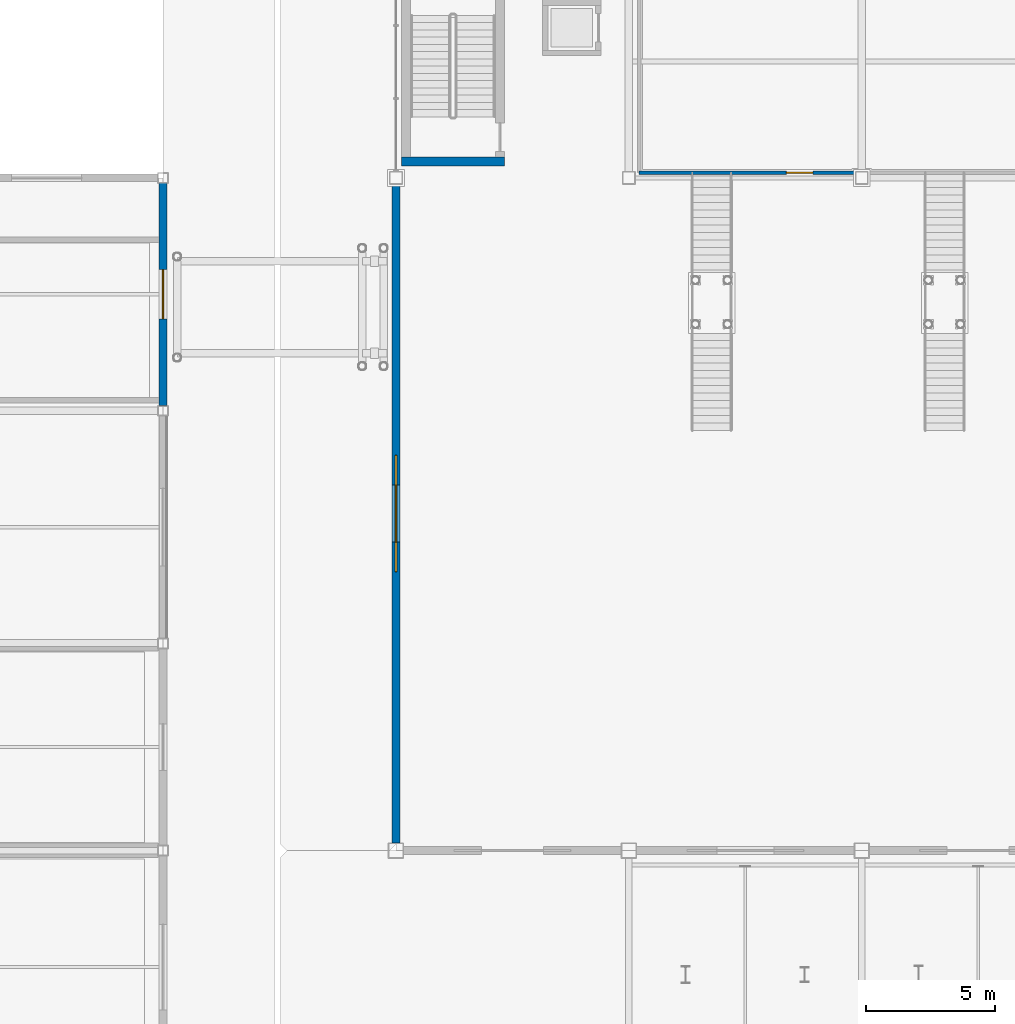
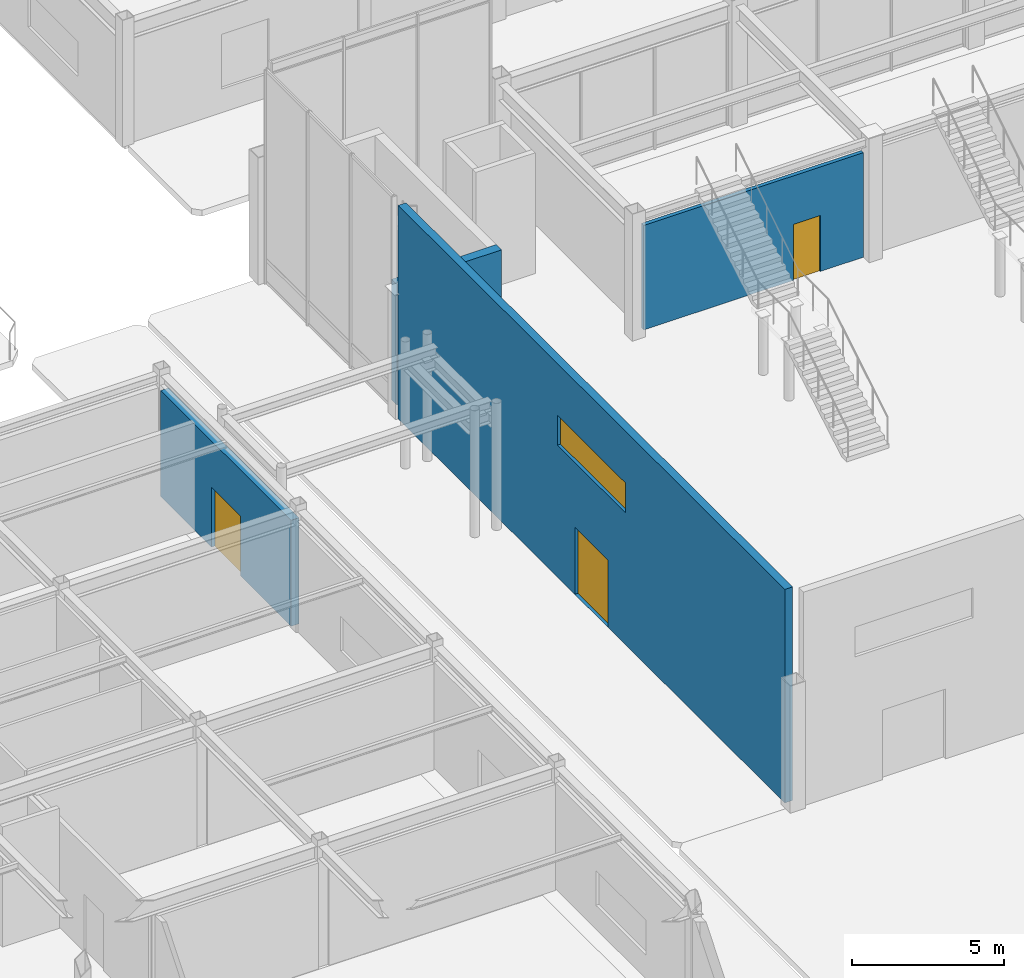
# One storey, part 84 of 123: 4 walls, 3 doors, 1 window, 4 openings.
"""IFC4 building model written with IfcOpenShell, lengths in metres."""

from ifc_helpers import new_model, si_unit, direction, frame, frame_2d, origin, place, context, subcontext, project, spatial, rectangle, extrude, material, layer, layer_set, type_object, element, fill, save


model = new_model("IFC4")

# Units and contexts
model_context = context("Model", 3, precision=1e-05, world=origin(), true_north=direction((0.0, 1.0)))
body_context = subcontext(model_context, "Body", "Model", "MODEL_VIEW")
ifc_project = project(units=[si_unit("LENGTHUNIT", "METRE"), si_unit("AREAUNIT", "SQUARE_METRE"), si_unit("VOLUMEUNIT", "CUBIC_METRE"), si_unit("PLANEANGLEUNIT", "RADIAN"), si_unit("MASSUNIT", "GRAM", prefix="KILO")], contexts=[model_context])

# Site, building, storey
site_placement = place(None, origin())
site = spatial("IfcSite", under=ifc_project, at=site_placement, CompositionType="ELEMENT")
building_placement = place(site_placement, origin())
building = spatial("IfcBuilding", under=site, at=building_placement, Name="Suzunagisa Mobility Hub", CompositionType="ELEMENT")
storey_placement = place(building_placement, origin())
storey = spatial("IfcBuildingStorey", under=building, at=storey_placement, Name="L00", CompositionType="ELEMENT", Elevation=0.0)

# Wall, opening, door
ifc_material_1 = material(Name="Insulated Precast Concrete C35/45 Panel", Category="concrete")
ifc_layer_1 = layer(ifc_material_1, 0.300048828125)
ifc_layer_set_1 = layer_set([ifc_layer_1], Name="Insulated Precast Concrete C35/45 Panel")
wall_type_1 = type_object("IfcWallType", Name="Exterior Wall EW-09 300mm", PredefinedType="SOLIDWALL", material=ifc_layer_set_1)
wall_1_placement = place(storey_placement, frame((36.0, 53.199951171875, 0.0), z_axis=(0.0, 0.0, 1.0), x_axis=(0.0, 1.0, 0.0)))
wall_1 = element("IfcWall", 1, at=wall_1_placement, inside=storey, type_object=wall_type_1, Name="L00 Entrance Portal Wall 31", PredefinedType="SOLIDWALL", context=body_context, shape_type="SweptSolid", body=[
    extrude(rectangle(XDim=8.60009765625, YDim=0.300048828125, at=frame_2d((4.300048828125, 0.0))), origin(), (0.0, 0.0, 1.0), 4.261962890625),
])
opening_1_placement = place(wall_1_placement, frame((5.25, 0.0, 0.0), z_axis=(0.0, 0.0, 1.0), x_axis=(-1.0, 0.0, 0.0)))
opening_1 = element("IfcOpeningElement", 2, at=opening_1_placement, cuts=wall_1, Name="Opening ED-07", PredefinedType="OPENING", context=body_context, shape_type="SweptSolid", body=[
    extrude(rectangle(XDim=1.89990234375, YDim=2.39990234375, at=frame_2d((0.949951171875, 1.199951171875))), frame((0.0, 0.1611328125, 0.0), z_axis=(0.0, -1.0, 0.0), x_axis=(1.0, 0.0, 0.0)), (0.0, 0.0, 1.0), 0.322021484375),
])
ifc_material_2 = material(Name="Anodized Aluminum and Tempered Safety Glass", Category="aluminium")
door_type_1 = type_object("IfcDoorType", Name="Exterior Glazed Aluminum Door ED-07 1900x2400", OperationType="DOUBLE_DOOR_SINGLE_SWING", PredefinedType="DOOR", material=ifc_material_2)
door_1_placement = place(opening_1_placement, origin())
door_1 = element("IfcDoor", 3, at=door_1_placement, inside=storey, type_object=door_type_1, Name="L00 Pedestrian Final Exit Door EX-4", OperationType="SINGLE_SWING_LEFT", OverallHeight=2.39990234375, OverallWidth=1.89990234375, PredefinedType="DOOR", context=body_context, shape_type="SweptSolid", body=[
    extrude(rectangle(XDim=1.89990234375, YDim=2.39990234375, at=frame_2d((0.949951171875, 1.199951171875))), frame((0.0, 0.02490234375, 0.0), z_axis=(0.0, -1.0, 0.0), x_axis=(1.0, 0.0, 0.0)), (0.0, 0.0, 1.0), 0.050048828125),
])
fill(opening_1, door_1)

# Wall, openings, window, door
wall_2_placement = place(storey_placement, frame((45.0, 61.75, 0.0), z_axis=(0.0, 0.0, 1.0), x_axis=(0.0, -1.0, 0.0)))
wall_2 = element("IfcWall", 4, at=wall_2_placement, inside=storey, type_object=wall_type_1, Name="L00 Entrance Portal Wall 81", PredefinedType="SOLIDWALL", context=body_context, shape_type="SweptSolid", body=[
    extrude(rectangle(XDim=25.449951171875, YDim=0.300048828125, at=frame_2d((12.72509765625, 0.0))), origin(), (0.0, 0.0, 1.0), 8.580078125),
])
opening_2_placement = place(wall_2_placement, frame((13.824951171875, 0.0, 0.0), z_axis=(0.0, 0.0, 1.0), x_axis=(-1.0, 0.0, 0.0)))
opening_2 = element("IfcOpeningElement", 5, at=opening_2_placement, cuts=wall_2, Name="Opening ED-02", PredefinedType="OPENING", context=body_context, shape_type="SweptSolid", body=[
    extrude(rectangle(XDim=2.199951171875, YDim=2.699951171875, at=frame_2d((1.10009765625, 1.35009765625))), frame((0.0, 0.1611328125, 0.0), z_axis=(0.0, -1.0, 0.0), x_axis=(1.0, 0.0, 0.0)), (0.0, 0.0, 1.0), 0.322021484375),
])
opening_3_placement = place(wall_2_placement, frame((10.47509765625, 0.0, 5.300048828125)))
opening_3 = element("IfcOpeningElement", 6, at=opening_3_placement, cuts=wall_2, Name="Opening WN-28", PredefinedType="OPENING", context=body_context, shape_type="SweptSolid", body=[
    extrude(rectangle(XDim=4.5, YDim=1.199951171875, at=frame_2d((2.25, 0.60009765625))), frame((0.0, 0.1611328125, 0.0), z_axis=(0.0, -1.0, 0.0), x_axis=(1.0, 0.0, 0.0)), (0.0, 0.0, 1.0), 0.322021484375),
])
ifc_material_3 = material(Name="Thermally Broken Anodized Aluminum and Low-E Double Glazing", Category="aluminium")
window_type = type_object("IfcWindowType", Name="Aluminum Window WN-28 4500x1200", PartitioningType="SINGLE_PANEL", PredefinedType="WINDOW", material=ifc_material_3)
window_placement = place(opening_3_placement, origin())
window = element("IfcWindow", 7, at=window_placement, inside=storey, type_object=window_type, Name="L00 Concourse Clerestory Window WN-24", OverallHeight=1.199951171875, OverallWidth=4.5, PartitioningType="SINGLE_PANEL", PredefinedType="WINDOW", context=body_context, shape_type="SweptSolid", body=[
    extrude(rectangle(XDim=4.5, YDim=1.199951171875, at=frame_2d((2.25, 0.60009765625))), frame((0.0, 0.030029296875, 0.0), z_axis=(0.0, -1.0, 0.0), x_axis=(1.0, 0.0, 0.0)), (0.0, 0.0, 1.0), 0.06005859375),
])
fill(opening_3, window)
door_type_2 = type_object("IfcDoorType", Name="Exterior Glazed Aluminum Door ED-02 2200x2700", OperationType="DOUBLE_DOOR_SINGLE_SWING", PredefinedType="DOOR", material=ifc_material_2)
door_2_placement = place(opening_2_placement, origin())
door_2 = element("IfcDoor", 8, at=door_2_placement, inside=storey, type_object=door_type_2, Name="L00 Main Concourse Pedestrian Final Exit Door EX-14", OperationType="SINGLE_SWING_LEFT", OverallHeight=2.699951171875, OverallWidth=2.199951171875, PredefinedType="DOOR", context=body_context, shape_type="SweptSolid", body=[
    extrude(rectangle(XDim=2.199951171875, YDim=2.699951171875, at=frame_2d((1.10009765625, 1.35009765625))), frame((0.0, 0.02490234375, 0.0), z_axis=(0.0, -1.0, 0.0), x_axis=(1.0, 0.0, 0.0)), (0.0, 0.0, 1.0), 0.050048828125),
])
fill(opening_2, door_2)

# Wall
ifc_material_4 = material(Name="Concrete C35/45", Category="concrete")
ifc_layer_2 = layer(ifc_material_4, 0.35009765625)
ifc_layer_set_2 = layer_set([ifc_layer_2], Name="Concrete C35/45")
wall_type_2 = type_object("IfcWallType", Name="Interior Wall IW-04 350mm", PredefinedType="SHEAR", material=ifc_layer_set_2)
wall_3_placement = place(storey_placement, frame((45.2099609375, 62.625, 0.0), z_axis=(0.0, 0.0, 1.0), x_axis=(1.0, 0.0, 0.0)))
element("IfcWall", 9, at=wall_3_placement, inside=storey, type_object=wall_type_2, Name="L00 Core C2 Shear Wall SW-81", PredefinedType="SHEAR", context=body_context, shape_type="SweptSolid", body=[
    extrude(rectangle(XDim=3.97998046875, YDim=0.35009765625, at=frame_2d((1.989990234375, 0.0))), origin(), (0.0, 0.0, 1.0), 4.85009765625),
])

# Wall, opening, door
ifc_material_5 = material(Name="Acoustic Steel-Stud Gypsum Partition", Category="steel")
ifc_layer_3 = layer(ifc_material_5, 0.14501953125)
ifc_layer_set_3 = layer_set([ifc_layer_3], Name="Acoustic Steel-Stud Gypsum Partition")
wall_type_3 = type_object("IfcWallType", Name="Interior Wall IW-06 145mm", PredefinedType="PARTITIONING", material=ifc_layer_set_3)
wall_4_placement = place(storey_placement, frame((54.39990234375, 62.199951171875, 0.0), z_axis=(0.0, 0.0, 1.0), x_axis=(1.0, 0.0, 0.0)))
wall_4 = element("IfcWall", 10, at=wall_4_placement, inside=storey, type_object=wall_type_3, Name="L00 Integrated Transit Ticketing and Information Lounge Partition PW-708", PredefinedType="PARTITIONING", context=body_context, shape_type="SweptSolid", body=[
    extrude(rectangle(XDim=8.35009765625, YDim=0.14501953125, at=frame_2d((4.175048828125, 0.0))), origin(), (0.0, 0.0, 1.0), 4.199951171875),
])
opening_4_placement = place(wall_4_placement, frame((5.68994140625, 0.0, 0.0)))
opening_4 = element("IfcOpeningElement", 11, at=opening_4_placement, cuts=wall_4, Name="Opening DR-33", PredefinedType="OPENING", context=body_context, shape_type="SweptSolid", body=[
    extrude(rectangle(XDim=1.02001953125, YDim=2.25, at=frame_2d((0.510009765625, 1.125))), frame((0.0, 0.08349609375, 0.0), z_axis=(0.0, -1.0, 0.0), x_axis=(1.0, 0.0, 0.0)), (0.0, 0.0, 1.0), 0.1669921875),
])
ifc_material_6 = material(Name="Anodized Aluminum Framed Acoustic Door", Category="aluminium")
door_type_3 = type_object("IfcDoorType", Name="Interior Door DR-33 1020x2250", OperationType="SINGLE_SWING_LEFT", PredefinedType="DOOR", material=ifc_material_6)
door_3_placement = place(opening_4_placement, origin())
door_3 = element("IfcDoor", 12, at=door_3_placement, inside=storey, type_object=door_type_3, Name="L00 Integrated Transit Ticketing and Information Lounge Door DR-179", OperationType="SINGLE_SWING_RIGHT", OverallHeight=2.25, OverallWidth=1.02001953125, PredefinedType="DOOR", context=body_context, shape_type="SweptSolid", body=[
    extrude(rectangle(XDim=1.02001953125, YDim=2.25, at=frame_2d((0.510009765625, 1.125))), frame((0.0, 0.02490234375, 0.0), z_axis=(0.0, -1.0, 0.0), x_axis=(1.0, 0.0, 0.0)), (0.0, 0.0, 1.0), 0.050048828125),
])
fill(opening_4, door_3)

save(model, "model.ifc")
